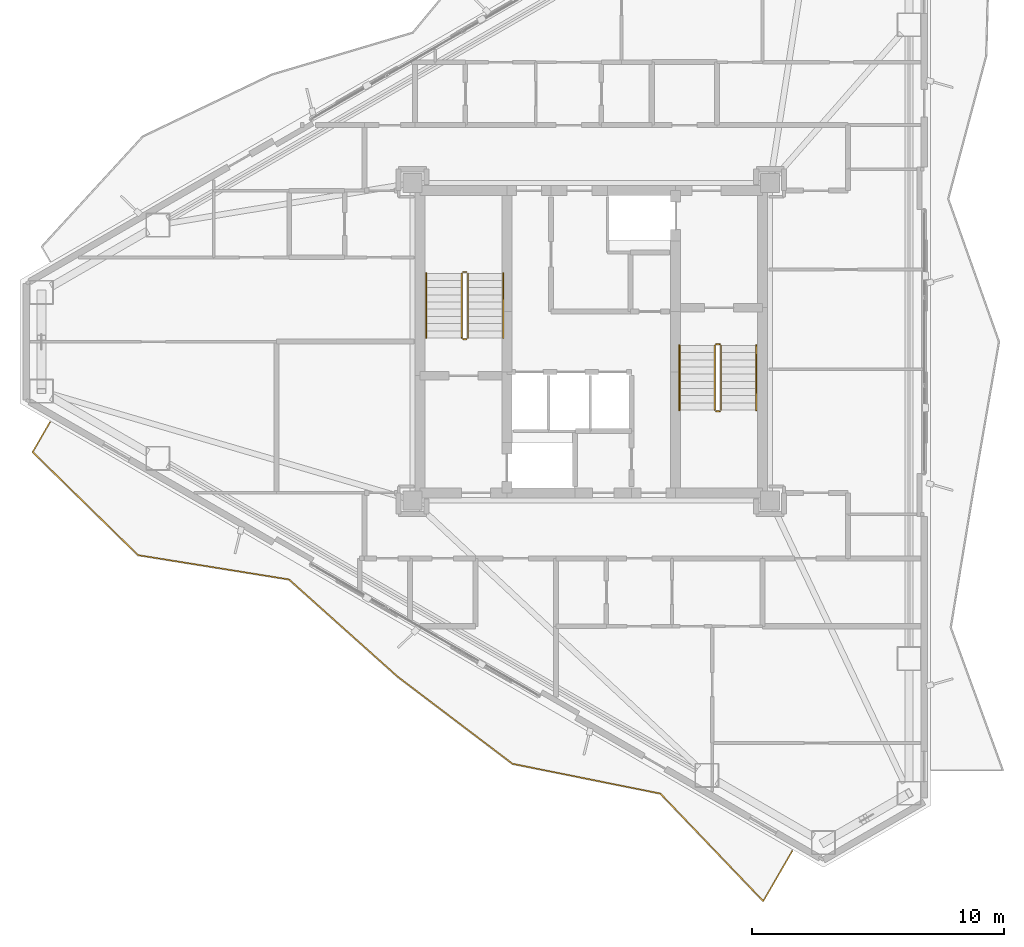
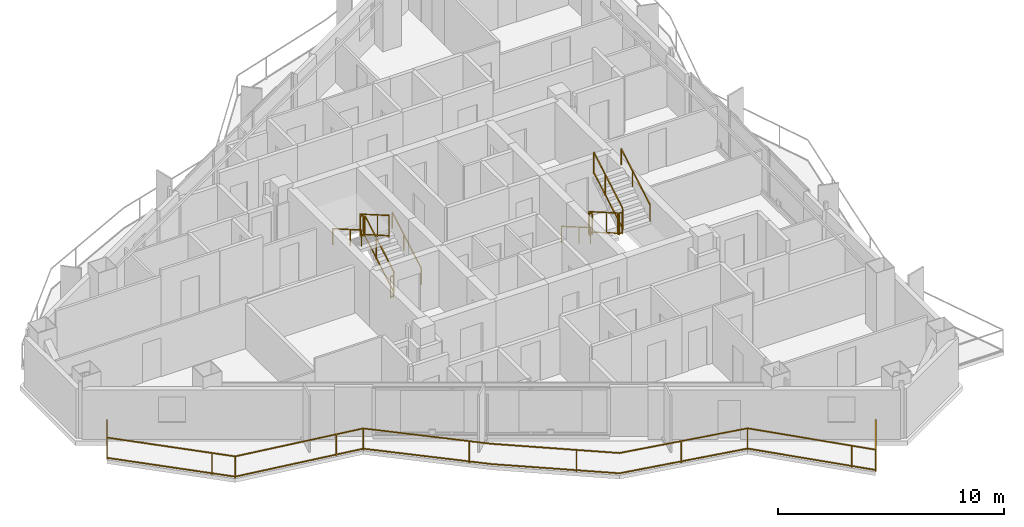
# One storey, part 17 of 18: 13 railings.
"""IFC4 building model written with IfcOpenShell, lengths in metres."""

from ifc_helpers import new_model, si_unit, direction, frame, origin, origin_2d, place, context, subcontext, project, spatial, rectangle, extrude, material, type_object, element, save


model = new_model("IFC4")

# Units and contexts
model_context = context("Model", 3, precision=1e-05, world=origin(), true_north=direction((0.0, 1.0)))
body_context = subcontext(model_context, "Body", "Model", "MODEL_VIEW")
ifc_project = project(units=[si_unit("LENGTHUNIT", "METRE"), si_unit("AREAUNIT", "SQUARE_METRE"), si_unit("VOLUMEUNIT", "CUBIC_METRE"), si_unit("PLANEANGLEUNIT", "RADIAN"), si_unit("MASSUNIT", "GRAM", prefix="KILO")], contexts=[model_context])

# Site, building, storey
site_placement = place(None, origin())
site = spatial("IfcSite", under=ifc_project, at=site_placement, CompositionType="ELEMENT")
building_placement = place(site_placement, origin())
building = spatial("IfcBuilding", under=site, at=building_placement, Name="Mersakhor Tower and Convention Hall", CompositionType="ELEMENT")
storey_placement = place(building_placement, frame((0.0, 0.0, 137.699951171875)))
storey = spatial("IfcBuildingStorey", under=building, at=storey_placement, Name="L38", CompositionType="ELEMENT", Elevation=137.699951171875)

# Railings
ifc_material_1 = material(Name="Powder-coated galvanised steel and laminated glass balustrade", Category="steel")
railing_type_1 = type_object("IfcRailingType", Name="RL-BAL-1200", PredefinedType="BALUSTRADE", material=ifc_material_1)
railing_1_placement = place(storey_placement, frame((7.497802734375, 23.5537109375, 0.0)))
element("IfcRailing", 1, at=railing_1_placement, inside=storey, type_object=railing_type_1, Name="L38 Sinusoidal Balcony Balustrade F3", PredefinedType="BALUSTRADE", context=body_context, shape_type="SweptSolid", body=[
    extrude(rectangle(XDim=0.048095703125, YDim=0.048095703125, at=origin_2d()), frame((0.0, 0.0, 1.17578125), z_axis=(-0.500042275419, -0.866000994684, 0.0), x_axis=(0.866000994684, -0.500042275419, 0.0)), (0.0, 0.0, 1.0), 1.36572265625),
    extrude(rectangle(XDim=0.048095703125, YDim=0.048095703125, at=origin_2d()), frame((0.0, 0.0, 0.080078125), z_axis=(-0.500042275419, -0.866000994684, 0.0), x_axis=(0.866000994684, -0.500042275419, 0.0)), (0.0, 0.0, 1.0), 1.36572265625),
    extrude(rectangle(XDim=0.048095703125, YDim=0.048095703125, at=origin_2d()), frame((-0.682861328125, -1.1826171875, 1.17578125), z_axis=(0.714775144658, -0.699354339788, 0.0), x_axis=(0.699354339788, 0.714775144658, 0.0)), (0.0, 0.0, 1.0), 5.85791015625),
    extrude(rectangle(XDim=0.048095703125, YDim=0.048095703125, at=origin_2d()), frame((-0.682861328125, -1.1826171875, 0.080078125), z_axis=(0.714775144658, -0.699354339788, 0.0), x_axis=(0.699354339788, 0.714775144658, 0.0)), (0.0, 0.0, 1.0), 5.85791015625),
    extrude(rectangle(XDim=0.048095703125, YDim=0.048095703125, at=origin_2d()), frame((3.504150390625, -5.279296875, 1.17578125), z_axis=(0.987254778396, -0.159147738072, 0.0), x_axis=(0.159147738072, 0.987254778396, 0.0)), (0.0, 0.0, 1.0), 6.07177734375),
    extrude(rectangle(XDim=0.048095703125, YDim=0.048095703125, at=origin_2d()), frame((3.504150390625, -5.279296875, 0.080078125), z_axis=(0.987254778396, -0.159147738072, 0.0), x_axis=(0.159147738072, 0.987254778396, 0.0)), (0.0, 0.0, 1.0), 6.07177734375),
    extrude(rectangle(XDim=0.048095703125, YDim=0.048095703125, at=origin_2d()), frame((9.49853515625, -6.24560546875, 1.17578125), z_axis=(0.745265543938, -0.66676777743, 0.0), x_axis=(0.66676777743, 0.745265543938, 0.0)), (0.0, 0.0, 1.0), 5.79736328125),
    extrude(rectangle(XDim=0.048095703125, YDim=0.048095703125, at=origin_2d()), frame((9.49853515625, -6.24560546875, 0.080078125), z_axis=(0.745265543938, -0.66676777743, 0.0), x_axis=(0.66676777743, 0.745265543938, 0.0)), (0.0, 0.0, 1.0), 5.79736328125),
    extrude(rectangle(XDim=0.048095703125, YDim=0.048095703125, at=origin_2d()), frame((13.819091796875, -10.111083984375, 1.17578125), z_axis=(0.796838670462, -0.604192132733, 0.0), x_axis=(0.604192132733, 0.796838670462, 0.0)), (0.0, 0.0, 1.0), 5.71923828125),
    extrude(rectangle(XDim=0.048095703125, YDim=0.048095703125, at=origin_2d()), frame((13.819091796875, -10.111083984375, 0.080078125), z_axis=(0.796838670462, -0.604192132733, 0.0), x_axis=(0.604192132733, 0.796838670462, 0.0)), (0.0, 0.0, 1.0), 5.71923828125),
    extrude(rectangle(XDim=0.048095703125, YDim=0.048095703125, at=origin_2d()), frame((18.37646484375, -13.566650390625, 1.17578125), z_axis=(0.980308427922, -0.197472494652, 0.0), x_axis=(0.197472494652, 0.980308427922, 0.0)), (0.0, 0.0, 1.0), 5.987548828125),
    extrude(rectangle(XDim=0.048095703125, YDim=0.048095703125, at=origin_2d()), frame((18.37646484375, -13.566650390625, 0.080078125), z_axis=(0.980308427922, -0.197472494652, 0.0), x_axis=(0.197472494652, 0.980308427922, 0.0)), (0.0, 0.0, 1.0), 5.987548828125),
    extrude(rectangle(XDim=0.048095703125, YDim=0.048095703125, at=origin_2d()), frame((24.24609375, -14.7490234375, 1.17578125), z_axis=(0.691384867395, -0.722486653951, 0.0), x_axis=(0.722486653951, 0.691384867395, 0.0)), (0.0, 0.0, 1.0), 5.910888671875),
    extrude(rectangle(XDim=0.048095703125, YDim=0.048095703125, at=origin_2d()), frame((24.24609375, -14.7490234375, 0.080078125), z_axis=(0.691384867395, -0.722486653951, 0.0), x_axis=(0.722486653951, 0.691384867395, 0.0)), (0.0, 0.0, 1.0), 5.910888671875),
    extrude(rectangle(XDim=0.048095703125, YDim=0.048095703125, at=origin_2d()), frame((28.332763671875, -19.01953125, 1.17578125), z_axis=(0.500000544019, 0.866025089694, 0.0), x_axis=(-0.866025089694, 0.500000544019, 0.0)), (0.0, 0.0, 1.0), 2.30517578125),
    extrude(rectangle(XDim=0.048095703125, YDim=0.048095703125, at=origin_2d()), frame((28.332763671875, -19.01953125, 0.080078125), z_axis=(0.500000544019, 0.866025089694, 0.0), x_axis=(-0.866025089694, 0.500000544019, 0.0)), (0.0, 0.0, 1.0), 2.30517578125),
    extrude(rectangle(XDim=0.0419921875, YDim=0.0419921875, at=origin_2d()), origin(), (0.0, 0.0, 1.0), 1.15185546875),
    extrude(rectangle(XDim=0.0419921875, YDim=0.0419921875, at=origin_2d()), frame((-0.682861328125, -1.1826171875, 0.0)), (0.0, 0.0, 1.0), 1.15185546875),
    extrude(rectangle(XDim=0.0419921875, YDim=0.0419921875, at=origin_2d()), frame((2.748046875, -4.53955078125, 0.0)), (0.0, 0.0, 1.0), 1.15185546875),
    extrude(rectangle(XDim=0.0419921875, YDim=0.0419921875, at=origin_2d()), frame((3.504150390625, -5.279296875, 0.0)), (0.0, 0.0, 1.0), 1.15185546875),
    extrude(rectangle(XDim=0.0419921875, YDim=0.0419921875, at=origin_2d()), frame((8.242919921875, -6.043212890625, 0.0)), (0.0, 0.0, 1.0), 1.15185546875),
    extrude(rectangle(XDim=0.0419921875, YDim=0.0419921875, at=origin_2d()), frame((9.49853515625, -6.24560546875, 0.0)), (0.0, 0.0, 1.0), 1.15185546875),
    extrude(rectangle(XDim=0.0419921875, YDim=0.0419921875, at=origin_2d()), frame((13.075927734375, -9.446044921875, 0.0)), (0.0, 0.0, 1.0), 1.15185546875),
    extrude(rectangle(XDim=0.0419921875, YDim=0.0419921875, at=origin_2d()), frame((16.84912109375, -12.40869140625, 0.0)), (0.0, 0.0, 1.0), 1.15185546875),
    extrude(rectangle(XDim=0.0419921875, YDim=0.0419921875, at=origin_2d()), frame((21.203125, -14.135986328125, 0.0)), (0.0, 0.0, 1.0), 1.15185546875),
    extrude(rectangle(XDim=0.0419921875, YDim=0.0419921875, at=origin_2d()), frame((24.24609375, -14.7490234375, 0.0)), (0.0, 0.0, 1.0), 1.15185546875),
    extrude(rectangle(XDim=0.0419921875, YDim=0.0419921875, at=origin_2d()), frame((27.564697265625, -18.217041015625, 0.0)), (0.0, 0.0, 1.0), 1.15185546875),
    extrude(rectangle(XDim=0.0419921875, YDim=0.0419921875, at=origin_2d()), frame((28.332763671875, -19.01953125, 0.0)), (0.0, 0.0, 1.0), 1.15185546875),
    extrude(rectangle(XDim=0.0419921875, YDim=0.0419921875, at=origin_2d()), frame((29.4853515625, -17.023193359375, 0.0)), (0.0, 0.0, 1.0), 1.15185546875),
])
ifc_material_2 = material(Name="Brushed stainless steel handrail", Category="steel")
railing_type_2 = type_object("IfcRailingType", Name="RL-HR-900", PredefinedType="HANDRAIL", material=ifc_material_2)
railing_2_placement = place(storey_placement, frame((25.5, 26.89990234375, 0.1650390625)))
element("IfcRailing", 2, at=railing_2_placement, inside=storey, type_object=railing_type_2, Name="L38 ST-1 stair handrail 1", PredefinedType="HANDRAIL", context=body_context, shape_type="SweptSolid", body=[
    extrude(rectangle(XDim=0.048095703125, YDim=0.048095703125, at=origin_2d()), frame((0.0, 0.0, 0.8759765625), z_axis=(0.0, 0.865426285481, 0.501036270542), x_axis=(-1.0, 0.0, 0.0)), (0.0, 0.0, 1.0), 2.964111328125),
    extrude(rectangle(XDim=0.0419921875, YDim=0.0419921875, at=origin_2d()), origin(), (0.0, 0.0, 1.0), 0.851806640625),
    extrude(rectangle(XDim=0.0419921875, YDim=0.0419921875, at=origin_2d()), frame((0.0, 1.557861328125, 0.90185546875)), (0.0, 0.0, 1.0), 0.851806640625),
    extrude(rectangle(XDim=0.0419921875, YDim=0.0419921875, at=origin_2d()), frame((0.0, 2.565185546875, 1.485107421875)), (0.0, 0.0, 1.0), 0.851806640625),
])
for number, where, name in (
    (3, (22.449951171875, 29.465087890625, 1.81494140625), "L38 ST-1 stair handrail 2"),
    (4, (32.5, 26.60009765625, 0.1650390625), "L38 ST-2 stair handrail 1"),
):
    element("IfcRailing", number, at=place(storey_placement, frame(where)), inside=storey, type_object=railing_type_2, Name=name, PredefinedType="HANDRAIL", context=body_context, shape_type="SweptSolid", body=[
        extrude(rectangle(XDim=0.048095703125, YDim=0.048095703125, at=origin_2d()), frame((0.0, 0.0, 0.8759765625), z_axis=(0.0, -0.865426285481, 0.501036270542), x_axis=(1.0, 0.0, 0.0)), (0.0, 0.0, 1.0), 2.964111328125),
        extrude(rectangle(XDim=0.0419921875, YDim=0.0419921875, at=origin_2d()), origin(), (0.0, 0.0, 1.0), 0.851806640625),
        extrude(rectangle(XDim=0.0419921875, YDim=0.0419921875, at=origin_2d()), frame((0.0, -1.557861328125, 0.90185546875)), (0.0, 0.0, 1.0), 0.851806640625),
        extrude(rectangle(XDim=0.0419921875, YDim=0.0419921875, at=origin_2d()), frame((0.0, -2.565185546875, 1.485107421875)), (0.0, 0.0, 1.0), 0.851806640625),
    ])
railing_3_placement = place(storey_placement, frame((35.550048828125, 24.034912109375, 1.81494140625)))
element("IfcRailing", 5, at=railing_3_placement, inside=storey, type_object=railing_type_2, Name="L38 ST-2 stair handrail 2", PredefinedType="HANDRAIL", context=body_context, shape_type="SweptSolid", body=[
    extrude(rectangle(XDim=0.048095703125, YDim=0.048095703125, at=origin_2d()), frame((0.0, 0.0, 0.8759765625), z_axis=(0.0, 0.865426285481, 0.501036270542), x_axis=(-1.0, 0.0, 0.0)), (0.0, 0.0, 1.0), 2.964111328125),
    extrude(rectangle(XDim=0.0419921875, YDim=0.0419921875, at=origin_2d()), origin(), (0.0, 0.0, 1.0), 0.851806640625),
    extrude(rectangle(XDim=0.0419921875, YDim=0.0419921875, at=origin_2d()), frame((0.0, 1.557861328125, 0.90185546875)), (0.0, 0.0, 1.0), 0.851806640625),
    extrude(rectangle(XDim=0.0419921875, YDim=0.0419921875, at=origin_2d()), frame((0.0, 2.565185546875, 1.485107421875)), (0.0, 0.0, 1.0), 0.851806640625),
])
ifc_material_3 = material(Name="Painted steel stair balustrade S355", Category="steel")
railing_type_3 = type_object("IfcRailingType", Name="RL-STG-1200", PredefinedType="BALUSTRADE", material=ifc_material_3)
railing_4_placement = place(storey_placement, frame((24.10009765625, 26.89990234375, 0.1650390625)))
element("IfcRailing", 6, at=railing_4_placement, inside=storey, type_object=railing_type_3, Name="L38 ST-1 stair guard 1", PredefinedType="BALUSTRADE", context=body_context, shape_type="SweptSolid", body=[
    extrude(rectangle(XDim=0.048095703125, YDim=0.048095703125, at=origin_2d()), frame((0.0, 0.0, 1.17578125), z_axis=(0.0, 0.865426285481, 0.501036270542), x_axis=(-1.0, 0.0, 0.0)), (0.0, 0.0, 1.0), 2.964111328125),
    extrude(rectangle(XDim=0.048095703125, YDim=0.048095703125, at=origin_2d()), frame((0.0, 0.0, 0.080078125), z_axis=(0.0, 0.865426285481, 0.501036270542), x_axis=(-1.0, 0.0, 0.0)), (0.0, 0.0, 1.0), 2.964111328125),
    extrude(rectangle(XDim=0.0419921875, YDim=0.0419921875, at=origin_2d()), origin(), (0.0, 0.0, 1.0), 1.15185546875),
    extrude(rectangle(XDim=0.0419921875, YDim=0.0419921875, at=origin_2d()), frame((0.0, 1.557861328125, 0.90185546875)), (0.0, 0.0, 1.0), 1.15185546875),
    extrude(rectangle(XDim=0.0419921875, YDim=0.0419921875, at=origin_2d()), frame((0.0, 2.565185546875, 1.485107421875)), (0.0, 0.0, 1.0), 1.15185546875),
])
railing_5_placement = place(storey_placement, frame((24.050048828125, 29.514892578125, 1.650146484375)))
element("IfcRailing", 7, at=railing_5_placement, inside=storey, type_object=railing_type_3, Name="L38 ST-1 stair guard 2", PredefinedType="BALUSTRADE", context=body_context, shape_type="SweptSolid", body=[
    extrude(rectangle(XDim=0.048095703125, YDim=0.048095703125, at=origin_2d()), frame((0.0, 0.0, 1.17578125), z_axis=(-1.0, 0.0, 0.0), x_axis=(0.0, -1.0, 0.0)), (0.0, 0.0, 1.0), 0.150146484375),
    extrude(rectangle(XDim=0.048095703125, YDim=0.048095703125, at=origin_2d()), frame((0.0, 0.0, 0.080078125), z_axis=(-1.0, 0.0, 0.0), x_axis=(0.0, -1.0, 0.0)), (0.0, 0.0, 1.0), 0.150146484375),
    extrude(rectangle(XDim=0.0419921875, YDim=0.0419921875, at=origin_2d()), origin(), (0.0, 0.0, 1.0), 1.15185546875),
    extrude(rectangle(XDim=0.0419921875, YDim=0.0419921875, at=origin_2d()), frame((-0.150146484375, 0.0, 0.0)), (0.0, 0.0, 1.0), 1.15185546875),
])
railing_6_placement = place(storey_placement, frame((23.85009765625, 29.465087890625, 1.81494140625)))
element("IfcRailing", 8, at=railing_6_placement, inside=storey, type_object=railing_type_3, Name="L38 ST-1 stair guard 3", PredefinedType="BALUSTRADE", context=body_context, shape_type="SweptSolid", body=[
    extrude(rectangle(XDim=0.048095703125, YDim=0.048095703125, at=origin_2d()), frame((0.0, 0.0, 1.17578125), z_axis=(0.0, -0.865426285481, 0.501036270542), x_axis=(1.0, 0.0, 0.0)), (0.0, 0.0, 1.0), 2.964111328125),
    extrude(rectangle(XDim=0.048095703125, YDim=0.048095703125, at=origin_2d()), frame((0.0, 0.0, 0.080078125), z_axis=(0.0, -0.865426285481, 0.501036270542), x_axis=(1.0, 0.0, 0.0)), (0.0, 0.0, 1.0), 2.964111328125),
    extrude(rectangle(XDim=0.0419921875, YDim=0.0419921875, at=origin_2d()), origin(), (0.0, 0.0, 1.0), 1.15185546875),
    extrude(rectangle(XDim=0.0419921875, YDim=0.0419921875, at=origin_2d()), frame((0.0, -1.557861328125, 0.90185546875)), (0.0, 0.0, 1.0), 1.15185546875),
    extrude(rectangle(XDim=0.0419921875, YDim=0.0419921875, at=origin_2d()), frame((0.0, -2.565185546875, 1.485107421875)), (0.0, 0.0, 1.0), 1.15185546875),
])
railing_7_placement = place(storey_placement, frame((24.050048828125, 26.85009765625, 0.0)))
element("IfcRailing", 9, at=railing_7_placement, inside=storey, type_object=railing_type_3, Name="L38 ST-1 stair guard 4", PredefinedType="BALUSTRADE", context=body_context, shape_type="SweptSolid", body=[
    extrude(rectangle(XDim=0.048095703125, YDim=0.048095703125, at=origin_2d()), frame((0.0, 0.0, 1.17578125), z_axis=(-1.0, 0.0, 0.0), x_axis=(0.0, -1.0, 0.0)), (0.0, 0.0, 1.0), 0.150146484375),
    extrude(rectangle(XDim=0.048095703125, YDim=0.048095703125, at=origin_2d()), frame((0.0, 0.0, 0.080078125), z_axis=(-1.0, 0.0, 0.0), x_axis=(0.0, -1.0, 0.0)), (0.0, 0.0, 1.0), 0.150146484375),
    extrude(rectangle(XDim=0.0419921875, YDim=0.0419921875, at=origin_2d()), origin(), (0.0, 0.0, 1.0), 1.15185546875),
    extrude(rectangle(XDim=0.0419921875, YDim=0.0419921875, at=origin_2d()), frame((-0.150146484375, 0.0, 0.0)), (0.0, 0.0, 1.0), 1.15185546875),
])
railing_8_placement = place(storey_placement, frame((33.89990234375, 26.60009765625, 0.1650390625)))
element("IfcRailing", 10, at=railing_8_placement, inside=storey, type_object=railing_type_3, Name="L38 ST-2 stair guard 1", PredefinedType="BALUSTRADE", context=body_context, shape_type="SweptSolid", body=[
    extrude(rectangle(XDim=0.048095703125, YDim=0.048095703125, at=origin_2d()), frame((0.0, 0.0, 1.17578125), z_axis=(0.0, -0.865426285481, 0.501036270542), x_axis=(1.0, 0.0, 0.0)), (0.0, 0.0, 1.0), 2.964111328125),
    extrude(rectangle(XDim=0.048095703125, YDim=0.048095703125, at=origin_2d()), frame((0.0, 0.0, 0.080078125), z_axis=(0.0, -0.865426285481, 0.501036270542), x_axis=(1.0, 0.0, 0.0)), (0.0, 0.0, 1.0), 2.964111328125),
    extrude(rectangle(XDim=0.0419921875, YDim=0.0419921875, at=origin_2d()), origin(), (0.0, 0.0, 1.0), 1.15185546875),
    extrude(rectangle(XDim=0.0419921875, YDim=0.0419921875, at=origin_2d()), frame((0.0, -1.557861328125, 0.90185546875)), (0.0, 0.0, 1.0), 1.15185546875),
    extrude(rectangle(XDim=0.0419921875, YDim=0.0419921875, at=origin_2d()), frame((0.0, -2.565185546875, 1.485107421875)), (0.0, 0.0, 1.0), 1.15185546875),
])
railing_9_placement = place(storey_placement, frame((33.949951171875, 23.985107421875, 1.650146484375)))
element("IfcRailing", 11, at=railing_9_placement, inside=storey, type_object=railing_type_3, Name="L38 ST-2 stair guard 2", PredefinedType="BALUSTRADE", context=body_context, shape_type="SweptSolid", body=[
    extrude(rectangle(XDim=0.048095703125, YDim=0.048095703125, at=origin_2d()), frame((0.0, 0.0, 1.17578125), z_axis=(1.0, 0.0, 0.0), x_axis=(0.0, 1.0, 0.0)), (0.0, 0.0, 1.0), 0.150146484375),
    extrude(rectangle(XDim=0.048095703125, YDim=0.048095703125, at=origin_2d()), frame((0.0, 0.0, 0.080078125), z_axis=(1.0, 0.0, 0.0), x_axis=(0.0, 1.0, 0.0)), (0.0, 0.0, 1.0), 0.150146484375),
    extrude(rectangle(XDim=0.0419921875, YDim=0.0419921875, at=origin_2d()), origin(), (0.0, 0.0, 1.0), 1.15185546875),
    extrude(rectangle(XDim=0.0419921875, YDim=0.0419921875, at=origin_2d()), frame((0.150146484375, 0.0, 0.0)), (0.0, 0.0, 1.0), 1.15185546875),
])
railing_10_placement = place(storey_placement, frame((34.14990234375, 24.034912109375, 1.81494140625)))
element("IfcRailing", 12, at=railing_10_placement, inside=storey, type_object=railing_type_3, Name="L38 ST-2 stair guard 3", PredefinedType="BALUSTRADE", context=body_context, shape_type="SweptSolid", body=[
    extrude(rectangle(XDim=0.048095703125, YDim=0.048095703125, at=origin_2d()), frame((0.0, 0.0, 1.17578125), z_axis=(0.0, 0.865426285481, 0.501036270542), x_axis=(-1.0, 0.0, 0.0)), (0.0, 0.0, 1.0), 2.964111328125),
    extrude(rectangle(XDim=0.048095703125, YDim=0.048095703125, at=origin_2d()), frame((0.0, 0.0, 0.080078125), z_axis=(0.0, 0.865426285481, 0.501036270542), x_axis=(-1.0, 0.0, 0.0)), (0.0, 0.0, 1.0), 2.964111328125),
    extrude(rectangle(XDim=0.0419921875, YDim=0.0419921875, at=origin_2d()), origin(), (0.0, 0.0, 1.0), 1.15185546875),
    extrude(rectangle(XDim=0.0419921875, YDim=0.0419921875, at=origin_2d()), frame((0.0, 1.557861328125, 0.90185546875)), (0.0, 0.0, 1.0), 1.15185546875),
    extrude(rectangle(XDim=0.0419921875, YDim=0.0419921875, at=origin_2d()), frame((0.0, 2.565185546875, 1.485107421875)), (0.0, 0.0, 1.0), 1.15185546875),
])
railing_11_placement = place(storey_placement, frame((33.949951171875, 26.64990234375, 0.0)))
element("IfcRailing", 13, at=railing_11_placement, inside=storey, type_object=railing_type_3, Name="L38 ST-2 stair guard 4", PredefinedType="BALUSTRADE", context=body_context, shape_type="SweptSolid", body=[
    extrude(rectangle(XDim=0.048095703125, YDim=0.048095703125, at=origin_2d()), frame((0.0, 0.0, 1.17578125), z_axis=(1.0, 0.0, 0.0), x_axis=(0.0, 1.0, 0.0)), (0.0, 0.0, 1.0), 0.150146484375),
    extrude(rectangle(XDim=0.048095703125, YDim=0.048095703125, at=origin_2d()), frame((0.0, 0.0, 0.080078125), z_axis=(1.0, 0.0, 0.0), x_axis=(0.0, 1.0, 0.0)), (0.0, 0.0, 1.0), 0.150146484375),
    extrude(rectangle(XDim=0.0419921875, YDim=0.0419921875, at=origin_2d()), origin(), (0.0, 0.0, 1.0), 1.15185546875),
    extrude(rectangle(XDim=0.0419921875, YDim=0.0419921875, at=origin_2d()), frame((0.150146484375, 0.0, 0.0)), (0.0, 0.0, 1.0), 1.15185546875),
])

save(model, "model.ifc")
